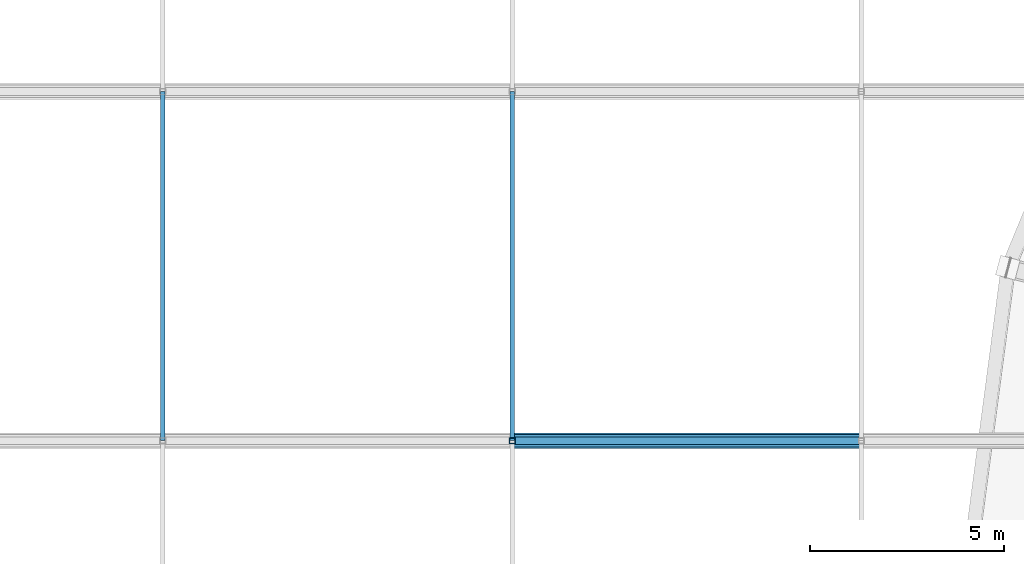
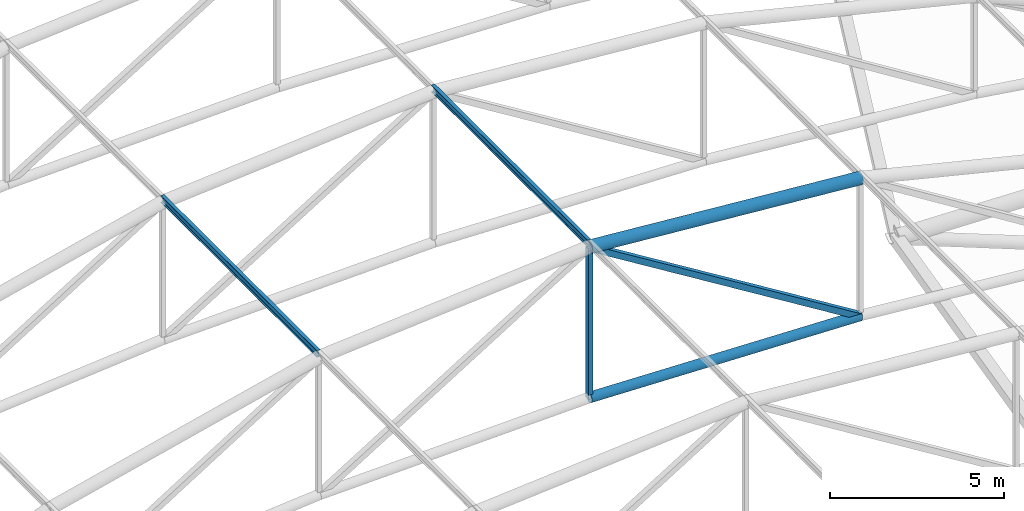
# One storey, part 46 of 167: 6 members.
"""IFC4 building model written with IfcOpenShell, lengths in metres."""

from ifc_helpers import new_model, si_unit, direction, frame, origin, origin_2d, place, context, subcontext, project, spatial, hollow_rectangle, hollow_circle, i_section, extrude, material, material_profile, profile_set, type_object, element, save


model = new_model("IFC4")

# Units and contexts
model_context = context("Model", 3, precision=1e-05, world=origin(), true_north=direction((0.0, 1.0)))
body_context = subcontext(model_context, "Body", "Model", "MODEL_VIEW")
ifc_project = project(units=[si_unit("LENGTHUNIT", "METRE"), si_unit("AREAUNIT", "SQUARE_METRE"), si_unit("VOLUMEUNIT", "CUBIC_METRE"), si_unit("PLANEANGLEUNIT", "RADIAN"), si_unit("MASSUNIT", "GRAM", prefix="KILO")], contexts=[model_context])

# Site, building, storey
site_placement = place(None, origin())
site = spatial("IfcSite", under=ifc_project, at=site_placement, CompositionType="ELEMENT")
building_placement = place(site_placement, origin())
building = spatial("IfcBuilding", under=site, at=building_placement, Name="Dornveld Trade and Exhibition Forum", CompositionType="ELEMENT")
storey_placement = place(building_placement, frame((0.0, 0.0, 16.800048828125)))
storey = spatial("IfcBuildingStorey", under=building, at=storey_placement, Name="L03", CompositionType="ELEMENT", Elevation=16.800048828125)

# Members
ifc_material_1 = material(Name="Steel S355J2", Category="steel")
ifc_material_profile_1 = material_profile(ifc_material_1, hollow_circle(Radius=0.161865234375, WallThickness=0.01611328125, at=origin_2d()), Name="CHS 323.9x16")
ifc_profile_set_1 = profile_set([ifc_material_profile_1], Name="Steel S355J2")
member_type_1 = type_object("IfcMemberType", Name="MEM-ARCH-BC", PredefinedType="CHORD", material=ifc_profile_set_1)
member_1_placement = place(storey_placement, frame((54.0, 90.0, 6.349853515625), z_axis=(0.999561545365, 0.0, -0.029609407757), x_axis=(0.0, 1.0, 0.0)))
element("IfcMember", 1, at=member_1_placement, inside=storey, type_object=member_type_1, Name="H3 truss 7 tie chord 4", PredefinedType="CHORD", context=body_context, shape_type="SweptSolid", body=[
    extrude(hollow_circle(Radius=0.161865234375, WallThickness=0.01611328125, at=origin_2d()), origin(), (0.0, 0.0, 1.0), 9.00390625),
])
ifc_material_2 = material(Name="Steel S355J2", Category="steel")
ifc_material_profile_2 = material_profile(ifc_material_2, hollow_rectangle(XDim=0.14990234375, YDim=0.14990234375, WallThickness=0.008056640625, at=origin_2d()), Name="SHS 150x150x8")
ifc_profile_set_2 = profile_set([ifc_material_profile_2], Name="Steel S355J2")
member_type_2 = type_object("IfcMemberType", Name="MEM-ARCH-STR", PredefinedType="STRUT", material=ifc_profile_set_2)
member_2_placement = place(storey_placement, frame((54.0, 90.0, 6.349853515625), z_axis=(0.0, 0.0, 1.0), x_axis=(1.0, 0.0, 0.0)))
element("IfcMember", 2, at=member_2_placement, inside=storey, type_object=member_type_2, Name="H3 truss 7 strut 4", PredefinedType="STRUT", context=body_context, shape_type="SweptSolid", body=[
    extrude(hollow_rectangle(XDim=0.14990234375, YDim=0.14990234375, WallThickness=0.008056640625, at=origin_2d()), origin(), (0.0, 0.0, 1.0), 5.300048828125),
])
ifc_material_3 = material(Name="Steel S355J2", Category="steel")
ifc_material_profile_3 = material_profile(ifc_material_3, hollow_circle(Radius=0.203125, WallThickness=0.02001953125, at=origin_2d()), Name="CHS 406.4x20")
ifc_profile_set_3 = profile_set([ifc_material_profile_3], Name="Steel S355J2")
member_type_3 = type_object("IfcMemberType", Name="MEM-ARCH-TC", PredefinedType="CHORD", material=ifc_profile_set_3)
member_3_placement = place(storey_placement, frame((54.0, 90.0, 11.64990234375), z_axis=(0.996698427641, 0.0, -0.081192637213), x_axis=(0.0, 1.0, 0.0)))
element("IfcMember", 3, at=member_3_placement, inside=storey, type_object=member_type_3, Name="H3 truss 7 top chord 4", PredefinedType="CHORD", context=body_context, shape_type="SweptSolid", body=[
    extrude(hollow_circle(Radius=0.203125, WallThickness=0.02001953125, at=origin_2d()), origin(), (0.0, 0.0, 1.0), 9.02978515625),
])
ifc_material_4 = material(Name="Steel S355J2", Category="steel")
ifc_material_profile_4 = material_profile(ifc_material_4, hollow_rectangle(XDim=0.199951171875, YDim=0.199951171875, WallThickness=0.010009765625, at=origin_2d()), Name="SHS 200x200x10")
ifc_profile_set_4 = profile_set([ifc_material_profile_4], Name="Steel S355J2")
member_type_4 = type_object("IfcMemberType", Name="MEM-ARCH-WEB", PredefinedType="BRACE", material=ifc_profile_set_4)
member_4_placement = place(storey_placement, frame((63.0, 90.0, 6.083251953125), z_axis=(-0.850467158024, 0.0, 0.526028148603), x_axis=(0.0, -1.0, 0.0)))
element("IfcMember", 4, at=member_4_placement, inside=storey, type_object=member_type_4, Name="H3 truss 7 web 4", PredefinedType="BRACE", context=body_context, shape_type="SweptSolid", body=[
    extrude(hollow_rectangle(XDim=0.199951171875, YDim=0.199951171875, WallThickness=0.010009765625, at=origin_2d()), origin(), (0.0, 0.0, 1.0), 10.58251953125),
])
ifc_material_5 = material(Name="Steel S355J2", Category="steel")
ifc_material_profile_5 = material_profile(ifc_material_5, i_section(OverallWidth=0.1201171875, OverallDepth=0.239990234375, WebThickness=0.006103515625, FlangeThickness=0.009765625, FilletRadius=0.014892578125, at=origin_2d()), Name="IPE 240")
ifc_profile_set_5 = profile_set([ifc_material_profile_5], Name="Steel S355J2")
member_type_5 = type_object("IfcMemberType", Name="MEM-PURLIN-240", PredefinedType="PURLIN", material=ifc_profile_set_5)
for number, where, z_axis, x_axis, name in (
    (5, (45.0, 90.0, 11.048583984375), (0.0, 1.0, 0.0), (-1.0, 0.0, 0.0), "H3 bay 7 roof purlin 3"),
    (6, (54.0, 90.0, 11.781982421875), (0.0, 1.0, 0.0), (-1.0, 0.0, 0.0), "H3 bay 7 roof purlin 4"),
):
    element("IfcMember", number, at=place(storey_placement, frame(where, z_axis=z_axis, x_axis=x_axis)), inside=storey, type_object=member_type_5, Name=name, PredefinedType="PURLIN", context=body_context, shape_type="SweptSolid", body=[
        extrude(i_section(OverallWidth=0.1201171875, OverallDepth=0.239990234375, WebThickness=0.006103515625, FlangeThickness=0.009765625, FilletRadius=0.014892578125, at=origin_2d()), origin(), (0.0, 0.0, 1.0), 9.0),
    ])

save(model, "model.ifc")
